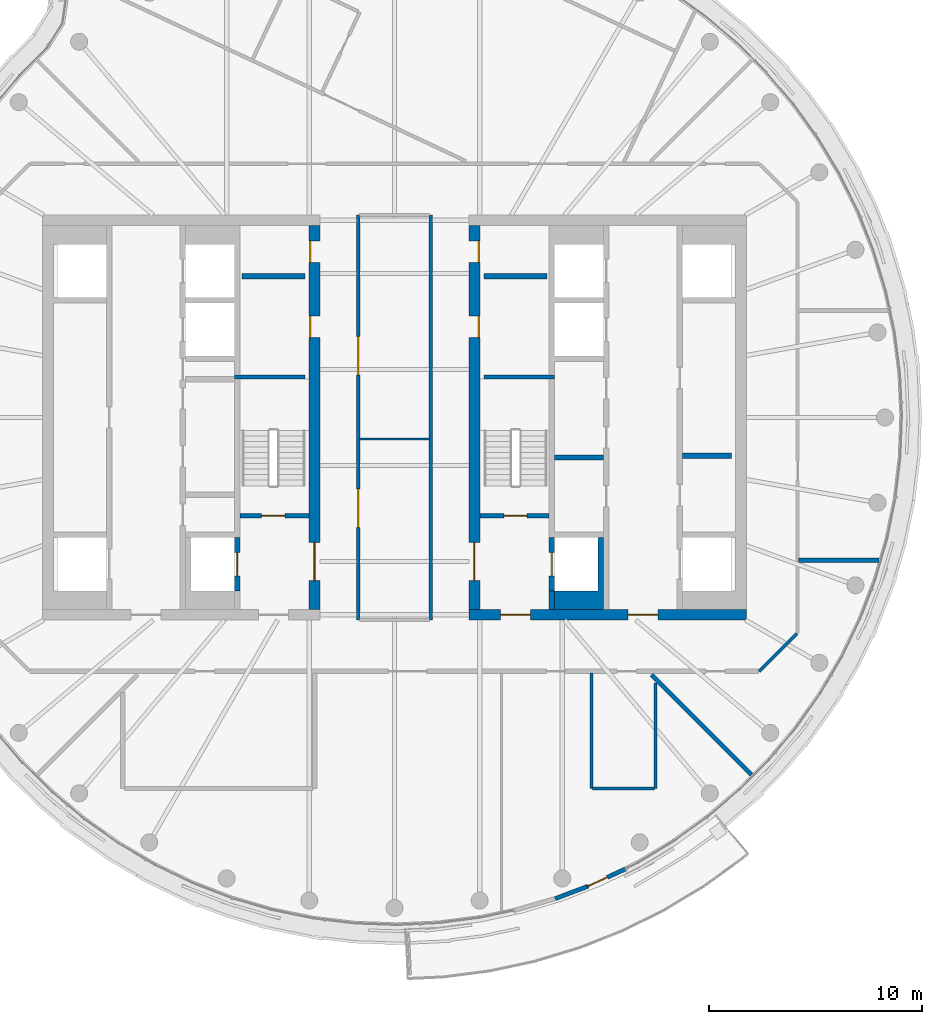
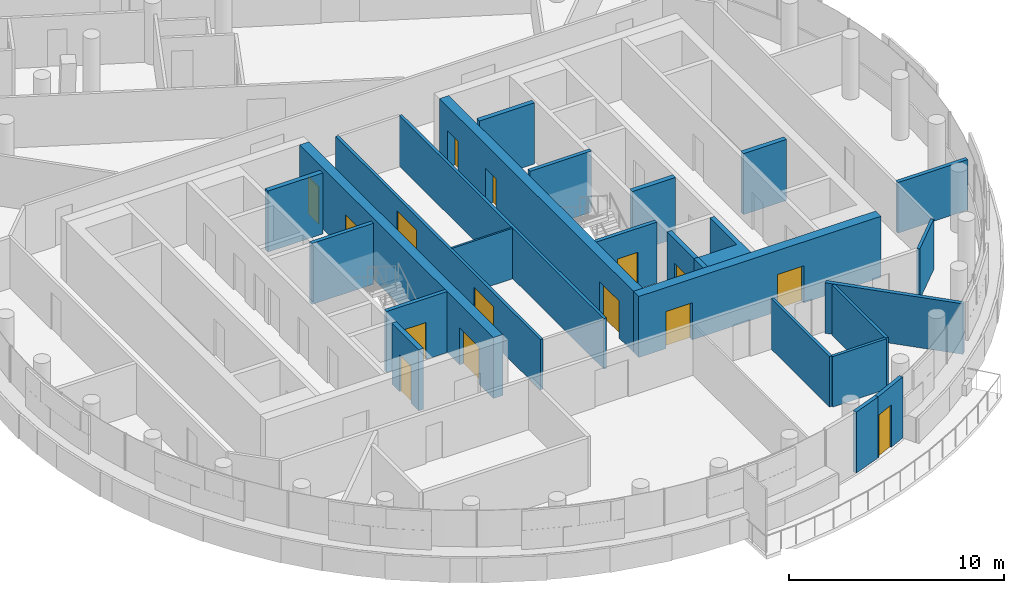
# One storey, part 14 of 21: 26 walls, 15 doors, 15 openings.
"""IFC4 building model written with IfcOpenShell, lengths in metres."""

from ifc_helpers import new_model, si_unit, direction, frame, frame_2d, origin, place, context, subcontext, project, spatial, polyline, rectangle, outline, extrude, material, layer, layer_set, type_object, element, fill, save


model = new_model("IFC4")

# Units and contexts
model_context = context("Model", 3, precision=1e-05, world=origin(), true_north=direction((0.0, 1.0)))
body_context = subcontext(model_context, "Body", "Model", "MODEL_VIEW")
ifc_project = project(units=[si_unit("LENGTHUNIT", "METRE"), si_unit("AREAUNIT", "SQUARE_METRE"), si_unit("VOLUMEUNIT", "CUBIC_METRE"), si_unit("PLANEANGLEUNIT", "RADIAN"), si_unit("MASSUNIT", "GRAM", prefix="KILO")], contexts=[model_context])

# Site, building, storey
site_placement = place(None, origin())
site = spatial("IfcSite", under=ifc_project, at=site_placement, CompositionType="ELEMENT")
building_placement = place(site_placement, origin())
building = spatial("IfcBuilding", under=site, at=building_placement, Name="Tamarind Cross Interchange Tower", CompositionType="ELEMENT")
storey_placement = place(building_placement, frame((0.0, 0.0, 267.60009765625)))
storey = spatial("IfcBuildingStorey", under=building, at=storey_placement, Name="L68", CompositionType="ELEMENT", Elevation=267.60009765625)

# Wall, opening, door
ifc_material_1 = material(Name="Concrete C40", Category="concrete")
ifc_layer_1 = layer(ifc_material_1, 0.199951171875)
ifc_layer_set_1 = layer_set([ifc_layer_1], Name="Concrete C40")
wall_type_1 = type_object("IfcWallType", Name="Balcony and garden door wall", PredefinedType="SOLIDWALL", material=ifc_layer_set_1)
wall_1_placement = place(storey_placement, frame((9.030517578125, -21.995849609375, 0.0), z_axis=(0.0, 0.0, 1.0), x_axis=(0.90857405357, 0.417723819263, 0.0)))
wall_1 = element("IfcWall", 1, at=wall_1_placement, inside=storey, type_object=wall_type_1, Name="EXW-L68-01-D15R", PredefinedType="SOLIDWALL", context=body_context, shape_type="SweptSolid", body=[
    extrude(rectangle(XDim=1.97314453125, YDim=0.199951171875, at=frame_2d((0.986572265625, 0.0))), origin(), (0.0, 0.0, 1.0), 3.4599609375),
])
opening_1_placement = place(wall_1_placement, frame((0.050048828125, 0.0, 0.0)))
opening_1 = element("IfcOpeningElement", 2, at=opening_1_placement, cuts=wall_1, Name="Opening D2", PredefinedType="OPENING", context=body_context, shape_type="SweptSolid", body=[
    extrude(rectangle(XDim=1.0, YDim=2.39990234375, at=frame_2d((0.5, 1.199951171875))), frame((0.0, 0.10986328125, 0.0), z_axis=(0.0, -1.0, 0.0), x_axis=(1.0, 0.0, 0.0)), (0.0, 0.0, 1.0), 0.219970703125),
])
ifc_material_2 = material(Name="Aluminium and toughened glass", Category="aluminium")
door_type_1 = type_object("IfcDoorType", Name="Balcony and garden door", OperationType="SINGLE_SWING_LEFT", PredefinedType="DOOR", material=ifc_material_2)
door_1_placement = place(opening_1_placement, origin())
door_1 = element("IfcDoor", 3, at=door_1_placement, inside=storey, type_object=door_type_1, Name="DOR-L68-01-15", OperationType="SINGLE_SWING_LEFT", OverallHeight=2.39990234375, OverallWidth=1.0, PredefinedType="DOOR", context=body_context, shape_type="SweptSolid", body=[
    extrude(rectangle(XDim=1.0, YDim=2.39990234375, at=frame_2d((0.5, 1.199951171875))), frame((0.0, 0.02490234375, 0.0), z_axis=(0.0, -1.0, 0.0), x_axis=(1.0, 0.0, 0.0)), (0.0, 0.0, 1.0), 0.050048828125),
])
fill(opening_1, door_1)

# Wall
wall_2_placement = place(storey_placement, frame((7.5341796875, -22.560302734375, 0.0), z_axis=(0.0, 0.0, 1.0), x_axis=(0.935643575704, 0.352946312127, 0.0)))
element("IfcWall", 4, at=wall_2_placement, inside=storey, type_object=wall_type_1, Name="EXW-L68-01-D15", PredefinedType="SOLIDWALL", context=body_context, shape_type="SweptSolid", body=[
    extrude(rectangle(XDim=1.599365234375, YDim=0.199951171875, at=frame_2d((0.7998046875, 0.0))), origin(), (0.0, 0.0, 1.0), 3.4599609375),
])

# Wall, openings, doors
ifc_material_3 = material(Name="Concrete C50", Category="concrete")
ifc_layer_2 = layer(ifc_material_3, 0.5)
ifc_layer_set_2 = layer_set([ifc_layer_2], Name="Concrete C50")
wall_type_2 = type_object("IfcWallType", Name="Core wall 500 mm Concrete C50", PredefinedType="SHEAR", material=ifc_layer_set_2)
wall_3_placement = place(storey_placement, frame((-3.75, -9.0, 0.0), z_axis=(0.0, 0.0, 1.0), x_axis=(0.0, 1.0, 0.0)))
wall_3 = element("IfcWall", 5, at=wall_3_placement, inside=storey, type_object=wall_type_2, Name="Core wall CWL-L68-W-IN", PredefinedType="SHEAR", context=body_context, shape_type="SweptSolid", body=[
    extrude(rectangle(XDim=18.0, YDim=0.5, at=frame_2d((9.0, 0.0))), origin(), (0.0, 0.0, 1.0), 3.4599609375),
])
opening_2_placement = place(wall_3_placement, frame((1.35009765625, 0.0, 0.0)))
opening_2 = element("IfcOpeningElement", 6, at=opening_2_placement, cuts=wall_3, Name="Opening DCW4", PredefinedType="OPENING", context=body_context, shape_type="SweptSolid", body=[
    extrude(rectangle(XDim=1.800048828125, YDim=2.10009765625, at=frame_2d((0.89990234375, 1.050048828125))), frame((0.0, 0.260009765625, 0.0), z_axis=(0.0, -1.0, 0.0), x_axis=(1.0, 0.0, 0.0)), (0.0, 0.0, 1.0), 0.52001953125),
])
opening_3_placement = place(wall_3_placement, frame((12.74951171875, 0.0, 0.0)))
opening_3 = element("IfcOpeningElement", 7, at=opening_3_placement, cuts=wall_3, Name="Opening DCW5", PredefinedType="OPENING", context=body_context, shape_type="SweptSolid", body=[
    extrude(rectangle(XDim=1.0, YDim=2.10009765625, at=frame_2d((0.5, 1.050048828125))), frame((0.0, 0.260009765625, 0.0), z_axis=(0.0, -1.0, 0.0), x_axis=(1.0, 0.0, 0.0)), (0.0, 0.0, 1.0), 0.52001953125),
])
opening_4_placement = place(wall_3_placement, frame((16.2744140625, 0.0, 0.0)))
opening_4 = element("IfcOpeningElement", 8, at=opening_4_placement, cuts=wall_3, Name="Opening DCW5", PredefinedType="OPENING", context=body_context, shape_type="SweptSolid", body=[
    extrude(rectangle(XDim=1.0, YDim=2.10009765625, at=frame_2d((0.5, 1.050048828125))), frame((0.0, 0.260009765625, 0.0), z_axis=(0.0, -1.0, 0.0), x_axis=(1.0, 0.0, 0.0)), (0.0, 0.0, 1.0), 0.52001953125),
])
ifc_material_4 = material(Name="Steel, fire-resisting", Category="steel")
door_type_2 = type_object("IfcDoorType", Name="Core fire door 1000 x 2100 FD90", OperationType="SINGLE_SWING_LEFT", PredefinedType="DOOR", material=ifc_material_4)
door_2_placement = place(opening_3_placement, origin())
door_2 = element("IfcDoor", 9, at=door_2_placement, inside=storey, type_object=door_type_2, Name="L68 riser room door", OperationType="SINGLE_SWING_LEFT", OverallHeight=2.10009765625, OverallWidth=1.0, PredefinedType="DOOR", context=body_context, shape_type="SweptSolid", body=[
    extrude(rectangle(XDim=1.0, YDim=2.10009765625, at=frame_2d((0.5, 1.050048828125))), frame((0.0, 0.22509765625, 0.0), z_axis=(0.0, -1.0, 0.0), x_axis=(1.0, 0.0, 0.0)), (0.0, 0.0, 1.0), 0.050048828125),
])
fill(opening_3, door_2)
door_3_placement = place(opening_4_placement, origin())
door_3 = element("IfcDoor", 10, at=door_3_placement, inside=storey, type_object=door_type_2, Name="L68 linen press door", OperationType="SINGLE_SWING_LEFT", OverallHeight=2.10009765625, OverallWidth=1.0, PredefinedType="DOOR", context=body_context, shape_type="SweptSolid", body=[
    extrude(rectangle(XDim=1.0, YDim=2.10009765625, at=frame_2d((0.5, 1.050048828125))), frame((0.0, 0.22509765625, 0.0), z_axis=(0.0, -1.0, 0.0), x_axis=(1.0, 0.0, 0.0)), (0.0, 0.0, 1.0), 0.050048828125),
])
fill(opening_4, door_3)
door_type_3 = type_object("IfcDoorType", Name="Core fire door 1800 x 2100 FD90", OperationType="SINGLE_SWING_LEFT", PredefinedType="DOOR", material=ifc_material_4)
door_4_placement = place(opening_2_placement, origin())
door_4 = element("IfcDoor", 11, at=door_4_placement, inside=storey, type_object=door_type_3, Name="L68 firefighting lobby door", OperationType="SINGLE_SWING_LEFT", OverallHeight=2.10009765625, OverallWidth=1.800048828125, PredefinedType="DOOR", context=body_context, shape_type="SweptSolid", body=[
    extrude(rectangle(XDim=1.800048828125, YDim=2.10009765625, at=frame_2d((0.89990234375, 1.050048828125))), frame((0.0, 0.02490234375, 0.0), z_axis=(0.0, -1.0, 0.0), x_axis=(1.0, 0.0, 0.0)), (0.0, 0.0, 1.0), 0.050048828125),
])
fill(opening_2, door_4)

wall_4_placement = place(storey_placement, frame((16.5, -9.25, 0.0), z_axis=(0.0, 0.0, 1.0), x_axis=(-1.0, 0.0, 0.0)))
wall_4 = element("IfcWall", 12, at=wall_4_placement, inside=storey, type_object=wall_type_2, Name="Core wall CWL-L68-E-S", PredefinedType="SHEAR", context=body_context, shape_type="SweptSolid", body=[
    extrude(rectangle(XDim=13.0, YDim=0.5, at=frame_2d((6.5, 0.0))), origin(), (0.0, 0.0, 1.0), 3.4599609375),
])
opening_5_placement = place(wall_4_placement, frame((4.14990234375, 0.0, 0.0)))
opening_5 = element("IfcOpeningElement", 13, at=opening_5_placement, cuts=wall_4, Name="Opening DCE1", PredefinedType="OPENING", context=body_context, shape_type="SweptSolid", body=[
    extrude(rectangle(XDim=1.39990234375, YDim=2.10009765625, at=frame_2d((0.699951171875, 1.050048828125))), frame((0.0, 0.260009765625, 0.0), z_axis=(0.0, -1.0, 0.0), x_axis=(1.0, 0.0, 0.0)), (0.0, 0.0, 1.0), 0.52001953125),
])
opening_6_placement = place(wall_4_placement, frame((10.125, 0.0, 0.0)))
opening_6 = element("IfcOpeningElement", 14, at=opening_6_placement, cuts=wall_4, Name="Opening DCEF", PredefinedType="OPENING", context=body_context, shape_type="SweptSolid", body=[
    extrude(rectangle(XDim=1.39990234375, YDim=2.10009765625, at=frame_2d((0.699951171875, 1.050048828125))), frame((0.0, 0.260009765625, 0.0), z_axis=(0.0, -1.0, 0.0), x_axis=(1.0, 0.0, 0.0)), (0.0, 0.0, 1.0), 0.52001953125),
])
door_type_4 = type_object("IfcDoorType", Name="Core fire door 1400 x 2100 FD90", OperationType="SINGLE_SWING_LEFT", PredefinedType="DOOR", material=ifc_material_4)
door_5_placement = place(opening_5_placement, origin())
door_5 = element("IfcDoor", 15, at=door_5_placement, inside=storey, type_object=door_type_4, Name="L68 lift lobby door", OperationType="SINGLE_SWING_LEFT", OverallHeight=2.10009765625, OverallWidth=1.39990234375, PredefinedType="DOOR", context=body_context, shape_type="SweptSolid", body=[
    extrude(rectangle(XDim=1.39990234375, YDim=2.10009765625, at=frame_2d((0.699951171875, 1.050048828125))), frame((0.0, 0.02490234375, 0.0), z_axis=(0.0, -1.0, 0.0), x_axis=(1.0, 0.0, 0.0)), (0.0, 0.0, 1.0), 0.050048828125),
])
fill(opening_5, door_5)
door_6_placement = place(opening_6_placement, origin())
door_6 = element("IfcDoor", 16, at=door_6_placement, inside=storey, type_object=door_type_4, Name="L68 firefighting lobby end door", OperationType="SINGLE_SWING_LEFT", OverallHeight=2.10009765625, OverallWidth=1.39990234375, PredefinedType="DOOR", context=body_context, shape_type="SweptSolid", body=[
    extrude(rectangle(XDim=1.39990234375, YDim=2.10009765625, at=frame_2d((0.699951171875, 1.050048828125))), frame((0.0, 0.02490234375, 0.0), z_axis=(0.0, -1.0, 0.0), x_axis=(1.0, 0.0, 0.0)), (0.0, 0.0, 1.0), 0.050048828125),
])
fill(opening_6, door_6)

wall_5_placement = place(storey_placement, frame((3.75, -9.0, 0.0), z_axis=(0.0, 0.0, 1.0), x_axis=(0.0, 1.0, 0.0)))
wall_5 = element("IfcWall", 17, at=wall_5_placement, inside=storey, type_object=wall_type_2, Name="Core wall CWL-L68-E-IN", PredefinedType="SHEAR", context=body_context, shape_type="SweptSolid", body=[
    extrude(rectangle(XDim=18.0, YDim=0.5, at=frame_2d((9.0, 0.0))), origin(), (0.0, 0.0, 1.0), 3.4599609375),
])
opening_7_placement = place(wall_5_placement, frame((1.35009765625, 0.0, 0.0)))
opening_7 = element("IfcOpeningElement", 18, at=opening_7_placement, cuts=wall_5, Name="Opening DCE4", PredefinedType="OPENING", context=body_context, shape_type="SweptSolid", body=[
    extrude(rectangle(XDim=1.800048828125, YDim=2.10009765625, at=frame_2d((0.89990234375, 1.050048828125))), frame((0.0, 0.260009765625, 0.0), z_axis=(0.0, -1.0, 0.0), x_axis=(1.0, 0.0, 0.0)), (0.0, 0.0, 1.0), 0.52001953125),
])
opening_8_placement = place(wall_5_placement, frame((12.74951171875, 0.0, 0.0)))
opening_8 = element("IfcOpeningElement", 19, at=opening_8_placement, cuts=wall_5, Name="Opening DCE5", PredefinedType="OPENING", context=body_context, shape_type="SweptSolid", body=[
    extrude(rectangle(XDim=1.0, YDim=2.10009765625, at=frame_2d((0.5, 1.050048828125))), frame((0.0, 0.260009765625, 0.0), z_axis=(0.0, -1.0, 0.0), x_axis=(1.0, 0.0, 0.0)), (0.0, 0.0, 1.0), 0.52001953125),
])
opening_9_placement = place(wall_5_placement, frame((16.2744140625, 0.0, 0.0)))
opening_9 = element("IfcOpeningElement", 20, at=opening_9_placement, cuts=wall_5, Name="Opening DCE5", PredefinedType="OPENING", context=body_context, shape_type="SweptSolid", body=[
    extrude(rectangle(XDim=1.0, YDim=2.10009765625, at=frame_2d((0.5, 1.050048828125))), frame((0.0, 0.260009765625, 0.0), z_axis=(0.0, -1.0, 0.0), x_axis=(1.0, 0.0, 0.0)), (0.0, 0.0, 1.0), 0.52001953125),
])
door_7_placement = place(opening_8_placement, origin())
door_7 = element("IfcDoor", 21, at=door_7_placement, inside=storey, type_object=door_type_2, Name="L68 riser room door", OperationType="SINGLE_SWING_LEFT", OverallHeight=2.10009765625, OverallWidth=1.0, PredefinedType="DOOR", context=body_context, shape_type="SweptSolid", body=[
    extrude(rectangle(XDim=1.0, YDim=2.10009765625, at=frame_2d((0.5, 1.050048828125))), frame((0.0, -0.1748046875, 0.0), z_axis=(0.0, -1.0, 0.0), x_axis=(1.0, 0.0, 0.0)), (0.0, 0.0, 1.0), 0.050048828125),
])
fill(opening_8, door_7)
door_8_placement = place(opening_9_placement, origin())
door_8 = element("IfcDoor", 22, at=door_8_placement, inside=storey, type_object=door_type_2, Name="L68 linen press door", OperationType="SINGLE_SWING_LEFT", OverallHeight=2.10009765625, OverallWidth=1.0, PredefinedType="DOOR", context=body_context, shape_type="SweptSolid", body=[
    extrude(rectangle(XDim=1.0, YDim=2.10009765625, at=frame_2d((0.5, 1.050048828125))), frame((0.0, -0.1748046875, 0.0), z_axis=(0.0, -1.0, 0.0), x_axis=(1.0, 0.0, 0.0)), (0.0, 0.0, 1.0), 0.050048828125),
])
fill(opening_9, door_8)
door_9_placement = place(opening_7_placement, origin())
door_9 = element("IfcDoor", 23, at=door_9_placement, inside=storey, type_object=door_type_3, Name="L68 firefighting lobby door", OperationType="SINGLE_SWING_LEFT", OverallHeight=2.10009765625, OverallWidth=1.800048828125, PredefinedType="DOOR", context=body_context, shape_type="SweptSolid", body=[
    extrude(rectangle(XDim=1.800048828125, YDim=2.10009765625, at=frame_2d((0.89990234375, 1.050048828125))), frame((0.0, 0.02490234375, 0.0), z_axis=(0.0, -1.0, 0.0), x_axis=(1.0, 0.0, 0.0)), (0.0, 0.0, 1.0), 0.050048828125),
])
fill(opening_7, door_9)

# Walls
ifc_layer_3 = layer(ifc_material_3, 0.199951171875)
ifc_layer_set_3 = layer_set([ifc_layer_3], Name="Concrete C50")
wall_type_3 = type_object("IfcWallType", Name="Core web wall 200 mm Concrete C50", PredefinedType="SHEAR", material=ifc_layer_set_3)
for number, where, z_axis, x_axis, name in (
    (24, (-7.5, 1.89990234375, 0.0), (0.0, 0.0, 1.0), (1.0, 0.0, 0.0), "Core wall CWL-L68-W-BD"),
    (25, (7.5, 1.89990234375, 0.0), (0.0, 0.0, 1.0), (-1.0, 0.0, 0.0), "Core wall CWL-L68-E-BD"),
):
    element("IfcWall", number, at=place(storey_placement, frame(where, z_axis=z_axis, x_axis=x_axis)), inside=storey, type_object=wall_type_3, Name=name, PredefinedType="SHEAR", context=body_context, shape_type="SweptSolid", body=[
        extrude(rectangle(XDim=3.300048828125, YDim=0.199951171875, at=frame_2d((1.64990234375, 0.0))), origin(), (0.0, 0.0, 1.0), 3.4599609375),
    ])

# Wall, opening, door
ifc_layer_4 = layer(ifc_material_3, 0.25)
ifc_layer_set_4 = layer_set([ifc_layer_4], Name="Concrete C50")
wall_type_4 = type_object("IfcWallType", Name="Core web wall 250 mm Concrete C50", PredefinedType="SHEAR", material=ifc_layer_set_4)
wall_6_placement = place(storey_placement, frame((-7.375, -8.125, 0.0), z_axis=(0.0, 0.0, 1.0), x_axis=(0.0, 1.0, 0.0)))
wall_6 = element("IfcWall", 26, at=wall_6_placement, inside=storey, type_object=wall_type_4, Name="Core wall CWL-L68-W-FF", PredefinedType="SHEAR", context=body_context, shape_type="SweptSolid", body=[
    extrude(rectangle(XDim=2.5, YDim=0.25, at=frame_2d((1.25, 0.0))), origin(), (0.0, 0.0, 1.0), 3.4599609375),
])
opening_10_placement = place(wall_6_placement, frame((0.699951171875, 0.0, 0.0)))
opening_10 = element("IfcOpeningElement", 27, at=opening_10_placement, cuts=wall_6, Name="Opening LD7L68", PredefinedType="OPENING", context=body_context, shape_type="SweptSolid", body=[
    extrude(rectangle(XDim=1.10009765625, YDim=2.10009765625, at=frame_2d((0.550048828125, 1.050048828125))), frame((0.0, 0.135009765625, 0.0), z_axis=(0.0, -1.0, 0.0), x_axis=(1.0, 0.0, 0.0)), (0.0, 0.0, 1.0), 0.27001953125),
])
ifc_material_5 = material(Name="Stainless steel panel", Category="steel")
door_type_5 = type_object("IfcDoorType", Name="Lift landing door 1100 x 2100 E 120", OperationType="SLIDING_TO_LEFT", PredefinedType="DOOR", material=ifc_material_5)
door_10_placement = place(opening_10_placement, origin())
door_10 = element("IfcDoor", 28, at=door_10_placement, inside=storey, type_object=door_type_5, Name="L68 landing door LF7", OperationType="SLIDING_TO_LEFT", OverallHeight=2.10009765625, OverallWidth=1.10009765625, PredefinedType="DOOR", context=body_context, shape_type="SweptSolid", body=[
    extrude(rectangle(XDim=1.10009765625, YDim=2.10009765625, at=frame_2d((0.550048828125, 1.050048828125))), frame((0.0, 0.02490234375, 0.0), z_axis=(0.0, -1.0, 0.0), x_axis=(1.0, 0.0, 0.0)), (0.0, 0.0, 1.0), 0.050048828125),
])
fill(opening_10, door_10)

# Walls
wall_7_placement = place(storey_placement, origin())
element("IfcWall", 29, at=wall_7_placement, inside=storey, type_object=wall_type_4, Name="Core wall CWL-L68-E-BS", PredefinedType="SHEAR", context=body_context, shape_type="SweptSolid", body=[
    extrude(outline(polyline([(7.5, -8.125), (7.5, -9.0), (9.800048828125, -9.0), (9.800048828125, -8.125), (9.800048828125, -5.625), (9.550048828125, -5.625), (9.550048828125, -8.125), (7.5, -8.125)])), origin(), (0.0, 0.0, 1.0), 3.4599609375),
])
wall_8_placement = place(storey_placement, frame((7.375, -9.0, 0.0), z_axis=(0.0, 0.0, 1.0), x_axis=(0.0, 1.0, 0.0)))
element("IfcWall", 30, at=wall_8_placement, inside=storey, type_object=wall_type_4, Name="Core wall CWL-L68-E-BW", PredefinedType="SHEAR", context=body_context, shape_type="SweptSolid", body=[
    extrude(rectangle(XDim=0.875, YDim=0.25, at=frame_2d((0.4375, 0.0))), origin(), (0.0, 0.0, 1.0), 3.4599609375),
])

# Wall, opening, door
wall_9_placement = place(storey_placement, frame((7.375, -8.125, 0.0), z_axis=(0.0, 0.0, 1.0), x_axis=(0.0, 1.0, 0.0)))
wall_9 = element("IfcWall", 31, at=wall_9_placement, inside=storey, type_object=wall_type_4, Name="Core wall CWL-L68-E-FF", PredefinedType="SHEAR", context=body_context, shape_type="SweptSolid", body=[
    extrude(rectangle(XDim=2.5, YDim=0.25, at=frame_2d((1.25, 0.0))), origin(), (0.0, 0.0, 1.0), 3.4599609375),
])
opening_11_placement = place(wall_9_placement, frame((0.699951171875, 0.0, 0.0)))
opening_11 = element("IfcOpeningElement", 32, at=opening_11_placement, cuts=wall_9, Name="Opening LD19L68", PredefinedType="OPENING", context=body_context, shape_type="SweptSolid", body=[
    extrude(rectangle(XDim=1.10009765625, YDim=2.10009765625, at=frame_2d((0.550048828125, 1.050048828125))), frame((0.0, 0.135009765625, 0.0), z_axis=(0.0, -1.0, 0.0), x_axis=(1.0, 0.0, 0.0)), (0.0, 0.0, 1.0), 0.27001953125),
])
door_11_placement = place(opening_11_placement, origin())
door_11 = element("IfcDoor", 33, at=door_11_placement, inside=storey, type_object=door_type_5, Name="L68 landing door LF19", OperationType="SLIDING_TO_LEFT", OverallHeight=2.10009765625, OverallWidth=1.10009765625, PredefinedType="DOOR", context=body_context, shape_type="SweptSolid", body=[
    extrude(rectangle(XDim=1.10009765625, YDim=2.10009765625, at=frame_2d((0.550048828125, 1.050048828125))), frame((0.0, 0.02490234375, 0.0), z_axis=(0.0, -1.0, 0.0), x_axis=(1.0, 0.0, 0.0)), (0.0, 0.0, 1.0), 0.050048828125),
])
fill(opening_11, door_11)

# Walls
ifc_material_6 = material(Name="Gypsum board partition on steel studs", Category="steel")
ifc_layer_5 = layer(ifc_material_6, 0.10009765625)
ifc_layer_set_5 = layer_set([ifc_layer_5], Name="Gypsum board partition on steel studs")
wall_type_5 = type_object("IfcWallType", Name="Partition 100 mm EI 120", PredefinedType="PARTITIONING", material=ifc_layer_set_5)
wall_10_placement = place(storey_placement, frame((-1.639892578125, -1.0, 0.0), z_axis=(0.0, 0.0, 1.0), x_axis=(1.0, 0.0, 0.0)))
element("IfcWall", 34, at=wall_10_placement, inside=storey, type_object=wall_type_5, Name="Partition L68-023", PredefinedType="PARTITIONING", context=body_context, shape_type="SweptSolid", body=[
    extrude(rectangle(XDim=3.27978515625, YDim=0.10009765625, at=frame_2d((1.639892578125, 0.0))), origin(), (0.0, 0.0, 1.0), 2.864013671875),
])
ifc_layer_6 = layer(ifc_material_6, 0.14990234375)
ifc_layer_set_6 = layer_set([ifc_layer_6], Name="Gypsum board partition on steel studs")
wall_type_6 = type_object("IfcWallType", Name="Partition 150 mm EI 120", PredefinedType="PARTITIONING", material=ifc_layer_set_6)
wall_11_placement = place(storey_placement, frame((9.2958984375, -17.39990234375, 0.0), z_axis=(0.0, 0.0, 1.0), x_axis=(1.0, 0.0, 0.0)))
element("IfcWall", 35, at=wall_11_placement, inside=storey, type_object=wall_type_6, Name="Partition L68-021", PredefinedType="PARTITIONING", context=body_context, shape_type="SweptSolid", body=[
    extrude(rectangle(XDim=2.89013671875, YDim=0.14990234375, at=frame_2d((1.445068359375, 0.0))), origin(), (0.0, 0.0, 1.0), 2.864013671875),
])
wall_12_placement = place(storey_placement, frame((17.10009765625, -11.89990234375, 0.0), z_axis=(0.0, 0.0, 1.0), x_axis=(0.707106781187, 0.707106781187, 0.0)))
element("IfcWall", 36, at=wall_12_placement, inside=storey, type_object=wall_type_6, Name="Partition L68-030", PredefinedType="PARTITIONING", context=body_context, shape_type="SweptSolid", body=[
    extrude(rectangle(XDim=2.50537109375, YDim=0.14990234375, at=frame_2d((1.252685546875, 0.0))), origin(), (0.0, 0.0, 1.0), 2.864013671875),
])

# Wall, openings, doors
wall_13_placement = place(storey_placement, frame((-1.699951171875, -9.5, 0.0), z_axis=(0.0, 0.0, 1.0), x_axis=(0.0, 1.0, 0.0)))
wall_13 = element("IfcWall", 37, at=wall_13_placement, inside=storey, type_object=wall_type_6, Name="Partition L68-043", PredefinedType="PARTITIONING", context=body_context, shape_type="SweptSolid", body=[
    extrude(rectangle(XDim=19.0, YDim=0.14990234375, at=frame_2d((9.5, 0.0))), origin(), (0.0, 0.0, 1.0), 2.864013671875),
])
opening_12_placement = place(wall_13_placement, frame((4.35009765625, 0.0, 0.0)))
opening_12 = element("IfcOpeningElement", 38, at=opening_12_placement, cuts=wall_13, Name="Opening D23", PredefinedType="OPENING", context=body_context, shape_type="SweptSolid", body=[
    extrude(rectangle(XDim=1.800048828125, YDim=2.10009765625, at=frame_2d((0.89990234375, 1.050048828125))), frame((0.0, 0.0849609375, 0.0), z_axis=(0.0, -1.0, 0.0), x_axis=(1.0, 0.0, 0.0)), (0.0, 0.0, 1.0), 0.169921875),
])
opening_13_placement = place(wall_13_placement, frame((11.5, 0.0, 0.0)))
opening_13 = element("IfcOpeningElement", 39, at=opening_13_placement, cuts=wall_13, Name="Opening D24", PredefinedType="OPENING", context=body_context, shape_type="SweptSolid", body=[
    extrude(rectangle(XDim=1.800048828125, YDim=2.10009765625, at=frame_2d((0.89990234375, 1.050048828125))), frame((0.0, 0.0849609375, 0.0), z_axis=(0.0, -1.0, 0.0), x_axis=(1.0, 0.0, 0.0)), (0.0, 0.0, 1.0), 0.169921875),
])
ifc_material_7 = material(Name="Fire-resisting door set")
door_type_6 = type_object("IfcDoorType", Name="Interior door 1800 x 2100 FD60S", OperationType="DOUBLE_DOOR_SINGLE_SWING", PredefinedType="DOOR", material=ifc_material_7)
door_12_placement = place(opening_12_placement, frame((1.800048828125, 0.0, 0.0), z_axis=(0.0, 0.0, 1.0), x_axis=(-1.0, 0.0, 0.0)))
door_12 = element("IfcDoor", 40, at=door_12_placement, inside=storey, type_object=door_type_6, Name="Door D23", OperationType="DOUBLE_DOOR_SINGLE_SWING", OverallHeight=2.10009765625, OverallWidth=1.800048828125, PredefinedType="DOOR", context=body_context, shape_type="SweptSolid", body=[
    extrude(rectangle(XDim=1.800048828125, YDim=2.10009765625, at=frame_2d((0.89990234375, 1.050048828125))), frame((0.0, 0.02490234375, 0.0), z_axis=(0.0, -1.0, 0.0), x_axis=(1.0, 0.0, 0.0)), (0.0, 0.0, 1.0), 0.050048828125),
])
fill(opening_12, door_12)
door_13_placement = place(opening_13_placement, frame((1.800048828125, 0.0, 0.0), z_axis=(0.0, 0.0, 1.0), x_axis=(-1.0, 0.0, 0.0)))
door_13 = element("IfcDoor", 41, at=door_13_placement, inside=storey, type_object=door_type_6, Name="Door D24", OperationType="DOUBLE_DOOR_SINGLE_SWING", OverallHeight=2.10009765625, OverallWidth=1.800048828125, PredefinedType="DOOR", context=body_context, shape_type="SweptSolid", body=[
    extrude(rectangle(XDim=1.800048828125, YDim=2.10009765625, at=frame_2d((0.89990234375, 1.050048828125))), frame((0.0, 0.02490234375, 0.0), z_axis=(0.0, -1.0, 0.0), x_axis=(1.0, 0.0, 0.0)), (0.0, 0.0, 1.0), 0.050048828125),
])
fill(opening_13, door_13)

# Walls
wall_14_placement = place(storey_placement, frame((1.699951171875, -9.5, 0.0), z_axis=(0.0, 0.0, 1.0), x_axis=(0.0, 1.0, 0.0)))
element("IfcWall", 42, at=wall_14_placement, inside=storey, type_object=wall_type_6, Name="Partition L68-044", PredefinedType="PARTITIONING", context=body_context, shape_type="SweptSolid", body=[
    extrude(rectangle(XDim=19.0, YDim=0.14990234375, at=frame_2d((9.5, 0.0))), origin(), (0.0, 0.0, 1.0), 2.864013671875),
])
wall_15_placement = place(storey_placement, frame((9.240966796875, -17.39990234375, 0.0), z_axis=(0.0, 0.0, 1.0), x_axis=(0.0, 1.0, 0.0)))
element("IfcWall", 43, at=wall_15_placement, inside=storey, type_object=wall_type_6, Name="Partition L68-046", PredefinedType="PARTITIONING", context=body_context, shape_type="SweptSolid", body=[
    extrude(rectangle(XDim=5.419921875, YDim=0.14990234375, at=frame_2d((2.7099609375, 0.0))), origin(), (0.0, 0.0, 1.0), 2.864013671875),
])
wall_16_placement = place(storey_placement, frame((12.240966796875, -17.39990234375, 0.0), z_axis=(0.0, 0.0, 1.0), x_axis=(0.0, 1.0, 0.0)))
element("IfcWall", 44, at=wall_16_placement, inside=storey, type_object=wall_type_6, Name="Partition L68-047", PredefinedType="PARTITIONING", context=body_context, shape_type="SweptSolid", body=[
    extrude(rectangle(XDim=4.958984375, YDim=0.14990234375, at=frame_2d((2.4794921875, 0.0))), origin(), (0.0, 0.0, 1.0), 2.864013671875),
])
ifc_layer_7 = layer(ifc_material_6, 0.199951171875)
ifc_layer_set_7 = layer_set([ifc_layer_7], Name="Gypsum board partition on steel studs")
wall_type_7 = type_object("IfcWallType", Name="Partition 200 mm EI 180", PredefinedType="PARTITIONING", material=ifc_layer_set_7)
wall_17_placement = place(storey_placement, frame((12.052001953125, -12.052001953125, 0.0), z_axis=(0.0, 0.0, 1.0), x_axis=(0.707106781187, -0.707106781187, 0.0)))
element("IfcWall", 45, at=wall_17_placement, inside=storey, type_object=wall_type_7, Name="Partition L68-003", PredefinedType="PARTITIONING", context=body_context, shape_type="SweptSolid", body=[
    extrude(rectangle(XDim=6.630615234375, YDim=0.199951171875, at=frame_2d((3.3154296875, 0.0))), origin(), (0.0, 0.0, 1.0), 2.864013671875),
])
wall_18_placement = place(storey_placement, frame((18.955078125, -6.696044921875, 0.0), z_axis=(0.0, 0.0, 1.0), x_axis=(1.0, 0.0, 0.0)))
element("IfcWall", 46, at=wall_18_placement, inside=storey, type_object=wall_type_7, Name="Partition L68-025", PredefinedType="PARTITIONING", context=body_context, shape_type="SweptSolid", body=[
    extrude(rectangle(XDim=3.7529296875, YDim=0.199951171875, at=frame_2d((1.87646484375, 0.0))), origin(), (0.0, 0.0, 1.0), 2.864013671875),
])
ifc_layer_8 = layer(ifc_material_1, 0.25)
ifc_layer_set_8 = layer_set([ifc_layer_8], Name="Concrete C40")
wall_type_8 = type_object("IfcWallType", Name="Shaft and lobby wall 250 mm Concrete C40", PredefinedType="PARTITIONING", material=ifc_layer_set_8)
for number, where, z_axis, x_axis, name in (
    (47, (-7.14990234375, 6.6240234375, 0.0), (0.0, 0.0, 1.0), (1.0, 0.0, 0.0), "Shaft wall CWL-L68-W-SVP"),
    (48, (7.14990234375, 6.6240234375, 0.0), (0.0, 0.0, 1.0), (-1.0, 0.0, 0.0), "Shaft wall CWL-L68-E-SVP"),
):
    element("IfcWall", number, at=place(storey_placement, frame(where, z_axis=z_axis, x_axis=x_axis)), inside=storey, type_object=wall_type_8, Name=name, PredefinedType="PARTITIONING", context=body_context, shape_type="SweptSolid", body=[
        extrude(rectangle(XDim=2.949951171875, YDim=0.25, at=frame_2d((1.47509765625, 0.0))), origin(), (0.0, 0.0, 1.0), 3.4599609375),
    ])
for number, where, z_axis, x_axis, name in (
    (49, (15.800048828125, -1.7919921875, 0.0), (0.0, 0.0, 1.0), (-1.0, 0.0, 0.0), "Shaft wall CWL-L68-E-FPA1"),
    (50, (9.800048828125, -1.875, 0.0), (0.0, 0.0, 1.0), (-1.0, 0.0, 0.0), "Shaft wall CWL-L68-E-FPB1"),
):
    element("IfcWall", number, at=place(storey_placement, frame(where, z_axis=z_axis, x_axis=x_axis)), inside=storey, type_object=wall_type_8, Name=name, PredefinedType="PARTITIONING", context=body_context, shape_type="SweptSolid", body=[
        extrude(rectangle(XDim=2.300048828125, YDim=0.25, at=frame_2d((1.14990234375, 0.0))), origin(), (0.0, 0.0, 1.0), 3.4599609375),
    ])

# Wall, opening, door
ifc_layer_9 = layer(ifc_material_1, 0.199951171875)
ifc_layer_set_9 = layer_set([ifc_layer_9], Name="Concrete C40")
wall_type_9 = type_object("IfcWallType", Name="Stair shaft wall 200 mm Concrete C40", PredefinedType="SHEAR", material=ifc_layer_set_9)
wall_19_placement = place(storey_placement, frame((-7.25, -4.60009765625, 0.0), z_axis=(0.0, 0.0, 1.0), x_axis=(1.0, 0.0, 0.0)))
wall_19 = element("IfcWall", 51, at=wall_19_placement, inside=storey, type_object=wall_type_9, Name="Core wall CWL-L68-W-SD", PredefinedType="SHEAR", context=body_context, shape_type="SweptSolid", body=[
    extrude(rectangle(XDim=3.25, YDim=0.199951171875, at=frame_2d((1.625, 0.0))), origin(), (0.0, 0.0, 1.0), 3.4599609375),
])
opening_14_placement = place(wall_19_placement, frame((1.02490234375, 0.0, 0.0)))
opening_14 = element("IfcOpeningElement", 52, at=opening_14_placement, cuts=wall_19, Name="Opening DCW6", PredefinedType="OPENING", context=body_context, shape_type="SweptSolid", body=[
    extrude(rectangle(XDim=1.10009765625, YDim=2.10009765625, at=frame_2d((0.550048828125, 1.050048828125))), frame((0.0, 0.10986328125, 0.0), z_axis=(0.0, -1.0, 0.0), x_axis=(1.0, 0.0, 0.0)), (0.0, 0.0, 1.0), 0.219970703125),
])
door_type_7 = type_object("IfcDoorType", Name="Core fire door 1100 x 2100 FD90", OperationType="SINGLE_SWING_LEFT", PredefinedType="DOOR", material=ifc_material_4)
door_14_placement = place(opening_14_placement, origin())
door_14 = element("IfcDoor", 53, at=door_14_placement, inside=storey, type_object=door_type_7, Name="L68 stair door", OperationType="SINGLE_SWING_LEFT", OverallHeight=2.10009765625, OverallWidth=1.10009765625, PredefinedType="DOOR", context=body_context, shape_type="SweptSolid", body=[
    extrude(rectangle(XDim=1.10009765625, YDim=2.10009765625, at=frame_2d((0.550048828125, 1.050048828125))), frame((0.0, 0.02490234375, 0.0), z_axis=(0.0, -1.0, 0.0), x_axis=(1.0, 0.0, 0.0)), (0.0, 0.0, 1.0), 0.050048828125),
])
fill(opening_14, door_14)

wall_20_placement = place(storey_placement, frame((7.25, -4.60009765625, 0.0), z_axis=(0.0, 0.0, 1.0), x_axis=(-1.0, 0.0, 0.0)))
wall_20 = element("IfcWall", 54, at=wall_20_placement, inside=storey, type_object=wall_type_9, Name="Core wall CWL-L68-E-SD", PredefinedType="SHEAR", context=body_context, shape_type="SweptSolid", body=[
    extrude(rectangle(XDim=3.25, YDim=0.199951171875, at=frame_2d((1.625, 0.0))), origin(), (0.0, 0.0, 1.0), 3.4599609375),
])
opening_15_placement = place(wall_20_placement, frame((1.02490234375, 0.0, 0.0)))
opening_15 = element("IfcOpeningElement", 55, at=opening_15_placement, cuts=wall_20, Name="Opening DCE6", PredefinedType="OPENING", context=body_context, shape_type="SweptSolid", body=[
    extrude(rectangle(XDim=1.10009765625, YDim=2.10009765625, at=frame_2d((0.550048828125, 1.050048828125))), frame((0.0, 0.10986328125, 0.0), z_axis=(0.0, -1.0, 0.0), x_axis=(1.0, 0.0, 0.0)), (0.0, 0.0, 1.0), 0.219970703125),
])
door_15_placement = place(opening_15_placement, origin())
door_15 = element("IfcDoor", 56, at=door_15_placement, inside=storey, type_object=door_type_7, Name="L68 stair door", OperationType="SINGLE_SWING_LEFT", OverallHeight=2.10009765625, OverallWidth=1.10009765625, PredefinedType="DOOR", context=body_context, shape_type="SweptSolid", body=[
    extrude(rectangle(XDim=1.10009765625, YDim=2.10009765625, at=frame_2d((0.550048828125, 1.050048828125))), frame((0.0, 0.02490234375, 0.0), z_axis=(0.0, -1.0, 0.0), x_axis=(1.0, 0.0, 0.0)), (0.0, 0.0, 1.0), 0.050048828125),
])
fill(opening_15, door_15)

save(model, "model.ifc")
